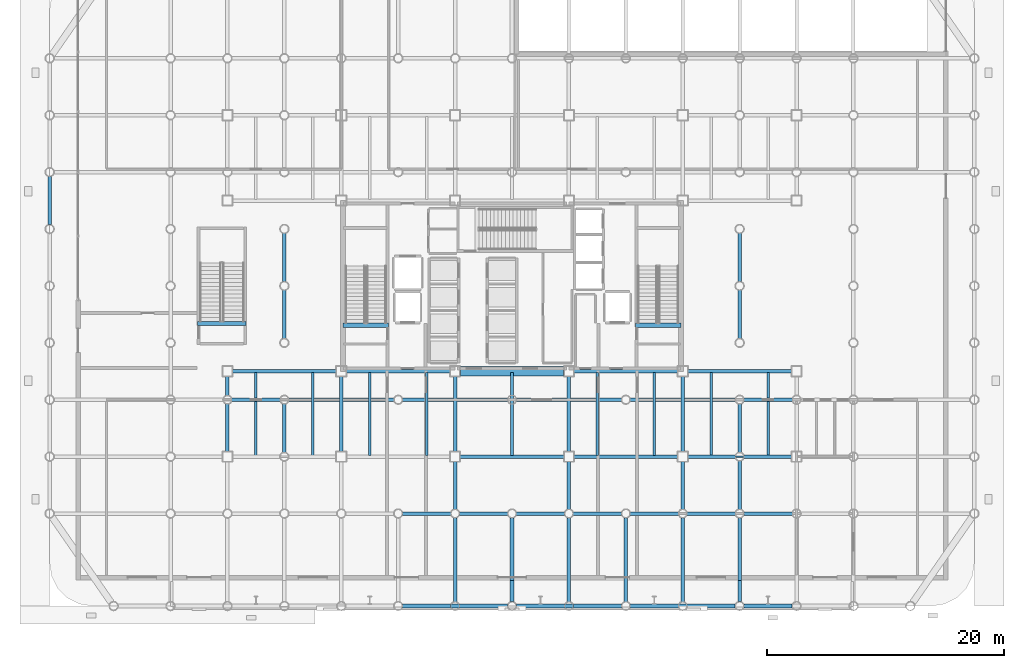
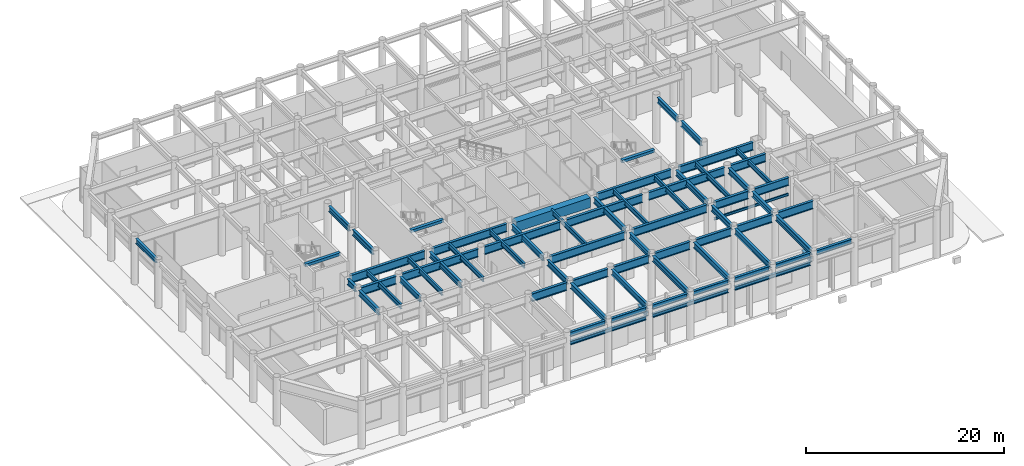
# One storey, part 8 of 23: 70 beams.
"""IFC4 building model written with IfcOpenShell, lengths in metres."""

from ifc_helpers import new_model, si_unit, direction, frame, origin, origin_2d, place, context, subcontext, project, spatial, rectangle, i_section, extrude, material, material_profile, profile_set, type_object, element, save


model = new_model("IFC4")

# Units and contexts
model_context = context("Model", 3, precision=1e-05, world=origin(), true_north=direction((0.0, 1.0)))
body_context = subcontext(model_context, "Body", "Model", "MODEL_VIEW")
ifc_project = project(units=[si_unit("LENGTHUNIT", "METRE"), si_unit("AREAUNIT", "SQUARE_METRE"), si_unit("VOLUMEUNIT", "CUBIC_METRE"), si_unit("PLANEANGLEUNIT", "RADIAN"), si_unit("MASSUNIT", "GRAM", prefix="KILO")], contexts=[model_context])

# Site, building, storey
site_placement = place(None, origin())
site = spatial("IfcSite", under=ifc_project, at=site_placement, CompositionType="ELEMENT")
building_placement = place(site_placement, origin())
building = spatial("IfcBuilding", under=site, at=building_placement, Name="Kallvorn Hotel Tower", CompositionType="ELEMENT")
storey_placement = place(building_placement, origin())
storey = spatial("IfcBuildingStorey", under=building, at=storey_placement, Name="L00", CompositionType="ELEMENT", Elevation=0.0)

# Beams
ifc_material_1 = material(Name="Structural steel S355JR", Category="steel")
ifc_material_profile_1 = material_profile(ifc_material_1, i_section(OverallWidth=0.300048828125, OverallDepth=1.0, WebThickness=0.01904296875, FlangeThickness=0.035888671875, at=origin_2d()), Name="HE 1000 B")
ifc_profile_set_1 = profile_set([ifc_material_profile_1], Name="Structural steel S355JR")
beam_type_1 = type_object("IfcBeamType", Name="BM_HE1000B", PredefinedType="BEAM", material=ifc_profile_set_1)
beam_1_placement = place(storey_placement, frame((-9.243896484375, -19.199951171875, 5.25), z_axis=(1.0, 0.0, 0.0), x_axis=(0.0, 1.0, 0.0)))
element("IfcBeam", 1, at=beam_1_placement, inside=storey, type_object=beam_type_1, Name="L01 Primary X-Girder 06", PredefinedType="BEAM", context=body_context, shape_type="SweptSolid", body=[
    extrude(i_section(OverallWidth=0.300048828125, OverallDepth=1.0, WebThickness=0.01904296875, FlangeThickness=0.035888671875, at=origin_2d()), origin(), (0.0, 0.0, 1.0), 4.087890625),
])
for number, where, z_axis, x_axis, name in (
    (2, (-4.444091796875, -19.199951171875, 5.25), (1.0, 0.0, 0.0), (0.0, 1.0, 0.0), "L01 Primary X-Girder 07"),
    (3, (0.35595703125, -19.199951171875, 5.25), (1.0, 0.0, 0.0), (0.0, 1.0, 0.0), "L01 Primary X-Girder 08"),
):
    element("IfcBeam", number, at=place(storey_placement, frame(where, z_axis=z_axis, x_axis=x_axis)), inside=storey, type_object=beam_type_1, Name=name, PredefinedType="BEAM", context=body_context, shape_type="SweptSolid", body=[
        extrude(i_section(OverallWidth=0.300048828125, OverallDepth=1.0, WebThickness=0.01904296875, FlangeThickness=0.035888671875, at=origin_2d()), origin(), (0.0, 0.0, 1.0), 4.088134765625),
    ])
for number, where, z_axis, x_axis, name in (
    (4, (5.156005859375, -19.199951171875, 5.25), (1.0, 0.0, 0.0), (0.0, 1.0, 0.0), "L01 Primary X-Girder 09"),
    (5, (9.9560546875, -19.199951171875, 5.25), (1.0, 0.0, 0.0), (0.0, 1.0, 0.0), "L01 Primary X-Girder 10"),
    (6, (14.756103515625, -19.199951171875, 5.25), (1.0, 0.0, 0.0), (0.0, 1.0, 0.0), "L01 Primary X-Girder 11"),
):
    element("IfcBeam", number, at=place(storey_placement, frame(where, z_axis=z_axis, x_axis=x_axis)), inside=storey, type_object=beam_type_1, Name=name, PredefinedType="BEAM", context=body_context, shape_type="SweptSolid", body=[
        extrude(i_section(OverallWidth=0.300048828125, OverallDepth=1.0, WebThickness=0.01904296875, FlangeThickness=0.035888671875, at=origin_2d()), origin(), (0.0, 0.0, 1.0), 4.087890625),
    ])
beam_2_placement = place(storey_placement, frame((19.555908203125, -19.199951171875, 5.25), z_axis=(1.0, 0.0, 0.0), x_axis=(0.0, 1.0, 0.0)))
element("IfcBeam", 7, at=beam_2_placement, inside=storey, type_object=beam_type_1, Name="L01 Primary X-Girder 12", PredefinedType="BEAM", context=body_context, shape_type="SweptSolid", body=[
    extrude(i_section(OverallWidth=0.300048828125, OverallDepth=1.0, WebThickness=0.01904296875, FlangeThickness=0.035888671875, at=origin_2d()), origin(), (0.0, 0.0, 1.0), 4.088134765625),
])
for number, where, z_axis, x_axis, name in (
    (8, (-4.375, -14.39990234375, 5.25), (1.0, 0.0, 0.0), (0.0, 1.0, 0.0), "L01 Primary X-Girder 20"),
    (9, (5.22509765625, -14.39990234375, 5.25), (1.0, 0.0, 0.0), (0.0, 1.0, 0.0), "L01 Primary X-Girder 21"),
):
    element("IfcBeam", number, at=place(storey_placement, frame(where, z_axis=z_axis, x_axis=x_axis)), inside=storey, type_object=beam_type_1, Name=name, PredefinedType="BEAM", context=body_context, shape_type="SweptSolid", body=[
        extrude(i_section(OverallWidth=0.300048828125, OverallDepth=1.0, WebThickness=0.01904296875, FlangeThickness=0.035888671875, at=origin_2d()), origin(), (0.0, 0.0, 1.0), 8.75),
    ])
for number, where, z_axis, x_axis, name in (
    (10, (14.824951171875, -14.39990234375, 5.25), (1.0, 0.0, 0.0), (0.0, 1.0, 0.0), "L01 Primary X-Girder 22"),
    (11, (19.555908203125, -14.39990234375, 5.25), (1.0, 0.0, 0.0), (0.0, 1.0, 0.0), "L01 Primary X-Girder 23"),
):
    element("IfcBeam", number, at=place(storey_placement, frame(where, z_axis=z_axis, x_axis=x_axis)), inside=storey, type_object=beam_type_1, Name=name, PredefinedType="BEAM", context=body_context, shape_type="SweptSolid", body=[
        extrude(i_section(OverallWidth=0.300048828125, OverallDepth=1.0, WebThickness=0.01904296875, FlangeThickness=0.035888671875, at=origin_2d()), origin(), (0.0, 0.0, 1.0), 4.01904296875),
    ])
beam_3_placement = place(storey_placement, frame((-23.64404296875, -9.60009765625, 5.25), z_axis=(1.0, 0.0, 0.0), x_axis=(0.0, 1.0, 0.0)))
element("IfcBeam", 12, at=beam_3_placement, inside=storey, type_object=beam_type_1, Name="L01 Primary X-Girder 28", PredefinedType="BEAM", context=body_context, shape_type="SweptSolid", body=[
    extrude(i_section(OverallWidth=0.300048828125, OverallDepth=1.0, WebThickness=0.01904296875, FlangeThickness=0.035888671875, at=origin_2d()), origin(), (0.0, 0.0, 1.0), 4.088134765625),
])
for number, where, z_axis, x_axis, name in (
    (13, (-18.843994140625, -9.60009765625, 5.25), (1.0, 0.0, 0.0), (0.0, 1.0, 0.0), "L01 Primary X-Girder 29"),
    (14, (-9.243896484375, -9.60009765625, 5.25), (1.0, 0.0, 0.0), (0.0, 1.0, 0.0), "L01 Primary X-Girder 30"),
    (15, (0.35595703125, -9.60009765625, 5.25), (1.0, 0.0, 0.0), (0.0, 1.0, 0.0), "L01 Primary X-Girder 31"),
    (16, (9.9560546875, -9.60009765625, 5.25), (1.0, 0.0, 0.0), (0.0, 1.0, 0.0), "L01 Primary X-Girder 32"),
):
    element("IfcBeam", number, at=place(storey_placement, frame(where, z_axis=z_axis, x_axis=x_axis)), inside=storey, type_object=beam_type_1, Name=name, PredefinedType="BEAM", context=body_context, shape_type="SweptSolid", body=[
        extrude(i_section(OverallWidth=0.300048828125, OverallDepth=1.0, WebThickness=0.01904296875, FlangeThickness=0.035888671875, at=origin_2d()), origin(), (0.0, 0.0, 1.0), 8.887939453125),
    ])
beam_4_placement = place(storey_placement, frame((19.555908203125, -9.60009765625, 5.25), z_axis=(1.0, 0.0, 0.0), x_axis=(0.0, 1.0, 0.0)))
element("IfcBeam", 17, at=beam_4_placement, inside=storey, type_object=beam_type_1, Name="L01 Primary X-Girder 33", PredefinedType="BEAM", context=body_context, shape_type="SweptSolid", body=[
    extrude(i_section(OverallWidth=0.300048828125, OverallDepth=1.0, WebThickness=0.01904296875, FlangeThickness=0.035888671875, at=origin_2d()), origin(), (0.0, 0.0, 1.0), 4.088134765625),
])
for number, where, z_axis, x_axis, name in (
    (18, (-23.574951171875, -7.199951171875, 5.25), (1.0, 0.0, 0.0), (0.0, 1.0, 0.0), "L01 Primary X-Girder 36"),
    (19, (-13.97509765625, -7.199951171875, 5.25), (1.0, 0.0, 0.0), (0.0, 1.0, 0.0), "L01 Primary X-Girder 37"),
    (20, (5.22509765625, -7.199951171875, 5.25), (1.0, 0.0, 0.0), (0.0, 1.0, 0.0), "L01 Primary X-Girder 38"),
    (21, (14.824951171875, -7.199951171875, 5.25), (1.0, 0.0, 0.0), (0.0, 1.0, 0.0), "L01 Primary X-Girder 39"),
):
    element("IfcBeam", number, at=place(storey_placement, frame(where, z_axis=z_axis, x_axis=x_axis)), inside=storey, type_object=beam_type_1, Name=name, PredefinedType="BEAM", context=body_context, shape_type="SweptSolid", body=[
        extrude(i_section(OverallWidth=0.300048828125, OverallDepth=1.0, WebThickness=0.01904296875, FlangeThickness=0.035888671875, at=origin_2d()), origin(), (0.0, 0.0, 1.0), 8.75),
    ])
ifc_material_2 = material(Name="Structural steel S355JR", Category="steel")
ifc_material_profile_2 = material_profile(ifc_material_2, i_section(OverallWidth=0.300048828125, OverallDepth=0.43994140625, WebThickness=0.011474609375, FlangeThickness=0.02099609375, at=origin_2d()), Name="HE 450 A")
ifc_profile_set_2 = profile_set([ifc_material_profile_2], Name="Structural steel S355JR")
beam_type_2 = type_object("IfcBeamType", Name="BM_HE450A", PredefinedType="BEAM", material=ifc_profile_set_2)
for number, where, z_axis, x_axis, name in (
    (22, (-9.239990234375, -27.0, 4.3798828125), (1.0, 0.0, 0.0), (0.0, 1.0, 0.0), "L00 Entrance Canopy Girder 3"),
    (23, (0.360107421875, -27.0, 4.3798828125), (1.0, 0.0, 0.0), (0.0, 1.0, 0.0), "L00 Entrance Canopy Girder 4"),
):
    element("IfcBeam", number, at=place(storey_placement, frame(where, z_axis=z_axis, x_axis=x_axis)), inside=storey, type_object=beam_type_2, Name=name, PredefinedType="BEAM", context=body_context, shape_type="SweptSolid", body=[
        extrude(i_section(OverallWidth=0.300048828125, OverallDepth=0.43994140625, WebThickness=0.011474609375, FlangeThickness=0.02099609375, at=origin_2d()), origin(), (0.0, 0.0, 1.0), 8.8798828125),
    ])
beam_5_placement = place(storey_placement, frame((9.9599609375, -27.0, 4.3798828125), z_axis=(1.0, 0.0, 0.0), x_axis=(0.0, 1.0, 0.0)))
element("IfcBeam", 24, at=beam_5_placement, inside=storey, type_object=beam_type_2, Name="L00 Entrance Canopy Girder 5", PredefinedType="BEAM", context=body_context, shape_type="SweptSolid", body=[
    extrude(i_section(OverallWidth=0.300048828125, OverallDepth=0.43994140625, WebThickness=0.011474609375, FlangeThickness=0.02099609375, at=origin_2d()), origin(), (0.0, 0.0, 1.0), 8.880126953125),
])
for number, where, z_axis, x_axis, name in (
    (25, (0.0, -26.6298828125, 4.3798828125), (0.0, 1.0, 0.0), (-1.0, 0.0, 0.0), "L00 Entrance Canopy Outrigger Bracket 2"),
    (26, (19.199951171875, -26.6298828125, 4.3798828125), (0.0, 1.0, 0.0), (-1.0, 0.0, 0.0), "L00 Entrance Canopy Outrigger Bracket 3"),
):
    element("IfcBeam", number, at=place(storey_placement, frame(where, z_axis=z_axis, x_axis=x_axis)), inside=storey, type_object=beam_type_2, Name=name, PredefinedType="BEAM", context=body_context, shape_type="SweptSolid", body=[
        extrude(i_section(OverallWidth=0.300048828125, OverallDepth=0.43994140625, WebThickness=0.011474609375, FlangeThickness=0.02099609375, at=origin_2d()), origin(), (0.0, 0.0, 1.0), 1.77978515625),
    ])
ifc_material_3 = material(Name="Structural steel S355JR", Category="steel")
ifc_material_profile_3 = material_profile(ifc_material_3, i_section(OverallWidth=0.300048828125, OverallDepth=0.60009765625, WebThickness=0.015380859375, FlangeThickness=0.030029296875, at=origin_2d()), Name="HE 600 B")
ifc_profile_set_3 = profile_set([ifc_material_profile_3], Name="Structural steel S355JR")
beam_type_3 = type_object("IfcBeamType", Name="BM_HE600B", PredefinedType="SPANDREL", material=ifc_profile_set_3)
beam_6_placement = place(storey_placement, frame((-9.22900390625, -27.0, 5.449951171875), z_axis=(1.0, 0.0, 0.0), x_axis=(0.0, 1.0, 0.0)))
element("IfcBeam", 27, at=beam_6_placement, inside=storey, type_object=beam_type_3, Name="L01 Perimeter Spandrel 177", PredefinedType="SPANDREL", context=body_context, shape_type="SweptSolid", body=[
    extrude(i_section(OverallWidth=0.300048828125, OverallDepth=0.60009765625, WebThickness=0.015380859375, FlangeThickness=0.030029296875, at=origin_2d()), origin(), (0.0, 0.0, 1.0), 4.05810546875),
])
for number, where, z_axis, x_axis, name in (
    (28, (-4.428955078125, -27.0, 5.449951171875), (1.0, 0.0, 0.0), (0.0, 1.0, 0.0), "L01 Perimeter Spandrel 178"),
    (29, (0.37109375, -27.0, 5.449951171875), (1.0, 0.0, 0.0), (0.0, 1.0, 0.0), "L01 Perimeter Spandrel 179"),
):
    element("IfcBeam", number, at=place(storey_placement, frame(where, z_axis=z_axis, x_axis=x_axis)), inside=storey, type_object=beam_type_3, Name=name, PredefinedType="SPANDREL", context=body_context, shape_type="SweptSolid", body=[
        extrude(i_section(OverallWidth=0.300048828125, OverallDepth=0.60009765625, WebThickness=0.015380859375, FlangeThickness=0.030029296875, at=origin_2d()), origin(), (0.0, 0.0, 1.0), 4.057861328125),
    ])
for number, where, z_axis, x_axis, name in (
    (30, (5.1708984375, -27.0, 5.449951171875), (1.0, 0.0, 0.0), (0.0, 1.0, 0.0), "L01 Perimeter Spandrel 180"),
    (31, (9.970947265625, -27.0, 5.449951171875), (1.0, 0.0, 0.0), (0.0, 1.0, 0.0), "L01 Perimeter Spandrel 181"),
    (32, (14.77099609375, -27.0, 5.449951171875), (1.0, 0.0, 0.0), (0.0, 1.0, 0.0), "L01 Perimeter Spandrel 182"),
):
    element("IfcBeam", number, at=place(storey_placement, frame(where, z_axis=z_axis, x_axis=x_axis)), inside=storey, type_object=beam_type_3, Name=name, PredefinedType="SPANDREL", context=body_context, shape_type="SweptSolid", body=[
        extrude(i_section(OverallWidth=0.300048828125, OverallDepth=0.60009765625, WebThickness=0.015380859375, FlangeThickness=0.030029296875, at=origin_2d()), origin(), (0.0, 0.0, 1.0), 4.05810546875),
    ])
beam_7_placement = place(storey_placement, frame((19.571044921875, -27.0, 5.449951171875), z_axis=(1.0, 0.0, 0.0), x_axis=(0.0, 1.0, 0.0)))
element("IfcBeam", 33, at=beam_7_placement, inside=storey, type_object=beam_type_3, Name="L01 Perimeter Spandrel 183", PredefinedType="SPANDREL", context=body_context, shape_type="SweptSolid", body=[
    extrude(i_section(OverallWidth=0.300048828125, OverallDepth=0.60009765625, WebThickness=0.015380859375, FlangeThickness=0.030029296875, at=origin_2d()), origin(), (0.0, 0.0, 1.0), 4.057861328125),
])
beam_8_placement = place(storey_placement, frame((-39.0, 5.1708984375, 5.449951171875), z_axis=(0.0, 1.0, 0.0), x_axis=(-1.0, 0.0, 0.0)))
element("IfcBeam", 34, at=beam_8_placement, inside=storey, type_object=beam_type_3, Name="L01 Perimeter Spandrel 205", PredefinedType="SPANDREL", context=body_context, shape_type="SweptSolid", body=[
    extrude(i_section(OverallWidth=0.300048828125, OverallDepth=0.60009765625, WebThickness=0.015380859375, FlangeThickness=0.030029296875, at=origin_2d()), origin(), (0.0, 0.0, 1.0), 4.05810546875),
])
ifc_material_4 = material(Name="Structural steel S355JR", Category="steel")
ifc_material_profile_4 = material_profile(ifc_material_4, i_section(OverallWidth=0.300048828125, OverallDepth=0.699951171875, WebThickness=0.01708984375, FlangeThickness=0.031982421875, at=origin_2d()), Name="HE 700 B")
ifc_profile_set_4 = profile_set([ifc_material_profile_4], Name="Structural steel S355JR")
beam_type_4 = type_object("IfcBeamType", Name="BM_HE700B", PredefinedType="BEAM", material=ifc_profile_set_4)
beam_9_placement = place(storey_placement, frame((-24.0, -13.97509765625, 5.39990234375), z_axis=(0.0, 1.0, 0.0), x_axis=(-1.0, 0.0, 0.0)))
element("IfcBeam", 35, at=beam_9_placement, inside=storey, type_object=beam_type_4, Name="L01 Primary Y-Girder 92", PredefinedType="BEAM", context=body_context, shape_type="SweptSolid", body=[
    extrude(i_section(OverallWidth=0.300048828125, OverallDepth=0.699951171875, WebThickness=0.01708984375, FlangeThickness=0.031982421875, at=origin_2d()), origin(), (0.0, 0.0, 1.0), 4.01904296875),
])
beam_10_placement = place(storey_placement, frame((-24.0, -9.243896484375, 5.39990234375), z_axis=(0.0, 1.0, 0.0), x_axis=(-1.0, 0.0, 0.0)))
element("IfcBeam", 36, at=beam_10_placement, inside=storey, type_object=beam_type_4, Name="L01 Primary Y-Girder 93", PredefinedType="BEAM", context=body_context, shape_type="SweptSolid", body=[
    extrude(i_section(OverallWidth=0.300048828125, OverallDepth=0.699951171875, WebThickness=0.01708984375, FlangeThickness=0.031982421875, at=origin_2d()), origin(), (0.0, 0.0, 1.0), 1.618896484375),
])
beam_11_placement = place(storey_placement, frame((-19.199951171875, -14.0439453125, 5.39990234375), z_axis=(0.0, 1.0, 0.0), x_axis=(-1.0, 0.0, 0.0)))
element("IfcBeam", 37, at=beam_11_placement, inside=storey, type_object=beam_type_4, Name="L01 Primary Y-Girder 100", PredefinedType="BEAM", context=body_context, shape_type="SweptSolid", body=[
    extrude(i_section(OverallWidth=0.300048828125, OverallDepth=0.699951171875, WebThickness=0.01708984375, FlangeThickness=0.031982421875, at=origin_2d()), origin(), (0.0, 0.0, 1.0), 4.087890625),
])
for number, where, z_axis, x_axis, name in (
    (38, (-19.199951171875, -4.444091796875, 5.39990234375), (0.0, 1.0, 0.0), (-1.0, 0.0, 0.0), "L01 Primary Y-Girder 102"),
    (39, (-19.199951171875, 0.35595703125, 5.39990234375), (0.0, 1.0, 0.0), (-1.0, 0.0, 0.0), "L01 Primary Y-Girder 103"),
):
    element("IfcBeam", number, at=place(storey_placement, frame(where, z_axis=z_axis, x_axis=x_axis)), inside=storey, type_object=beam_type_4, Name=name, PredefinedType="BEAM", context=body_context, shape_type="SweptSolid", body=[
        extrude(i_section(OverallWidth=0.300048828125, OverallDepth=0.699951171875, WebThickness=0.01708984375, FlangeThickness=0.031982421875, at=origin_2d()), origin(), (0.0, 0.0, 1.0), 4.088134765625),
    ])
beam_12_placement = place(storey_placement, frame((-14.39990234375, -13.97509765625, 5.39990234375), z_axis=(0.0, 1.0, 0.0), x_axis=(-1.0, 0.0, 0.0)))
element("IfcBeam", 40, at=beam_12_placement, inside=storey, type_object=beam_type_4, Name="L01 Primary Y-Girder 110", PredefinedType="BEAM", context=body_context, shape_type="SweptSolid", body=[
    extrude(i_section(OverallWidth=0.300048828125, OverallDepth=0.699951171875, WebThickness=0.01708984375, FlangeThickness=0.031982421875, at=origin_2d()), origin(), (0.0, 0.0, 1.0), 6.35009765625),
])
beam_13_placement = place(storey_placement, frame((-4.800048828125, -26.64404296875, 5.39990234375), z_axis=(0.0, 1.0, 0.0), x_axis=(-1.0, 0.0, 0.0)))
element("IfcBeam", 41, at=beam_13_placement, inside=storey, type_object=beam_type_4, Name="L01 Primary Y-Girder 118", PredefinedType="BEAM", context=body_context, shape_type="SweptSolid", body=[
    extrude(i_section(OverallWidth=0.300048828125, OverallDepth=0.699951171875, WebThickness=0.01708984375, FlangeThickness=0.031982421875, at=origin_2d()), origin(), (0.0, 0.0, 1.0), 7.088134765625),
])
beam_14_placement = place(storey_placement, frame((-4.800048828125, -18.843994140625, 5.39990234375), z_axis=(0.0, 1.0, 0.0), x_axis=(-1.0, 0.0, 0.0)))
element("IfcBeam", 42, at=beam_14_placement, inside=storey, type_object=beam_type_4, Name="L01 Primary Y-Girder 119", PredefinedType="BEAM", context=body_context, shape_type="SweptSolid", body=[
    extrude(i_section(OverallWidth=0.300048828125, OverallDepth=0.699951171875, WebThickness=0.01708984375, FlangeThickness=0.031982421875, at=origin_2d()), origin(), (0.0, 0.0, 1.0), 4.01904296875),
])
beam_15_placement = place(storey_placement, frame((-4.800048828125, -13.97509765625, 5.39990234375), z_axis=(0.0, 1.0, 0.0), x_axis=(-1.0, 0.0, 0.0)))
element("IfcBeam", 43, at=beam_15_placement, inside=storey, type_object=beam_type_4, Name="L01 Primary Y-Girder 120", PredefinedType="BEAM", context=body_context, shape_type="SweptSolid", body=[
    extrude(i_section(OverallWidth=0.300048828125, OverallDepth=0.699951171875, WebThickness=0.01708984375, FlangeThickness=0.031982421875, at=origin_2d()), origin(), (0.0, 0.0, 1.0), 6.35009765625),
])
for number, where, z_axis, x_axis, name in (
    (44, (0.0, -26.64404296875, 5.39990234375), (0.0, 1.0, 0.0), (-1.0, 0.0, 0.0), "L01 Primary Y-Girder 124"),
    (45, (4.800048828125, -26.64404296875, 5.39990234375), (0.0, 1.0, 0.0), (-1.0, 0.0, 0.0), "L01 Primary Y-Girder 128"),
):
    element("IfcBeam", number, at=place(storey_placement, frame(where, z_axis=z_axis, x_axis=x_axis)), inside=storey, type_object=beam_type_4, Name=name, PredefinedType="BEAM", context=body_context, shape_type="SweptSolid", body=[
        extrude(i_section(OverallWidth=0.300048828125, OverallDepth=0.699951171875, WebThickness=0.01708984375, FlangeThickness=0.031982421875, at=origin_2d()), origin(), (0.0, 0.0, 1.0), 7.088134765625),
    ])
beam_16_placement = place(storey_placement, frame((4.800048828125, -18.843994140625, 5.39990234375), z_axis=(0.0, 1.0, 0.0), x_axis=(-1.0, 0.0, 0.0)))
element("IfcBeam", 46, at=beam_16_placement, inside=storey, type_object=beam_type_4, Name="L01 Primary Y-Girder 129", PredefinedType="BEAM", context=body_context, shape_type="SweptSolid", body=[
    extrude(i_section(OverallWidth=0.300048828125, OverallDepth=0.699951171875, WebThickness=0.01708984375, FlangeThickness=0.031982421875, at=origin_2d()), origin(), (0.0, 0.0, 1.0), 4.01904296875),
])
beam_17_placement = place(storey_placement, frame((4.800048828125, -13.97509765625, 5.39990234375), z_axis=(0.0, 1.0, 0.0), x_axis=(-1.0, 0.0, 0.0)))
element("IfcBeam", 47, at=beam_17_placement, inside=storey, type_object=beam_type_4, Name="L01 Primary Y-Girder 130", PredefinedType="BEAM", context=body_context, shape_type="SweptSolid", body=[
    extrude(i_section(OverallWidth=0.300048828125, OverallDepth=0.699951171875, WebThickness=0.01708984375, FlangeThickness=0.031982421875, at=origin_2d()), origin(), (0.0, 0.0, 1.0), 6.35009765625),
])
for number, where, z_axis, x_axis, name in (
    (48, (9.60009765625, -26.64404296875, 5.39990234375), (0.0, 1.0, 0.0), (-1.0, 0.0, 0.0), "L01 Primary Y-Girder 134"),
    (49, (14.39990234375, -26.64404296875, 5.39990234375), (0.0, 1.0, 0.0), (-1.0, 0.0, 0.0), "L01 Primary Y-Girder 138"),
):
    element("IfcBeam", number, at=place(storey_placement, frame(where, z_axis=z_axis, x_axis=x_axis)), inside=storey, type_object=beam_type_4, Name=name, PredefinedType="BEAM", context=body_context, shape_type="SweptSolid", body=[
        extrude(i_section(OverallWidth=0.300048828125, OverallDepth=0.699951171875, WebThickness=0.01708984375, FlangeThickness=0.031982421875, at=origin_2d()), origin(), (0.0, 0.0, 1.0), 7.088134765625),
    ])
beam_18_placement = place(storey_placement, frame((14.39990234375, -18.843994140625, 5.39990234375), z_axis=(0.0, 1.0, 0.0), x_axis=(-1.0, 0.0, 0.0)))
element("IfcBeam", 50, at=beam_18_placement, inside=storey, type_object=beam_type_4, Name="L01 Primary Y-Girder 139", PredefinedType="BEAM", context=body_context, shape_type="SweptSolid", body=[
    extrude(i_section(OverallWidth=0.300048828125, OverallDepth=0.699951171875, WebThickness=0.01708984375, FlangeThickness=0.031982421875, at=origin_2d()), origin(), (0.0, 0.0, 1.0), 4.01904296875),
])
beam_19_placement = place(storey_placement, frame((14.39990234375, -13.97509765625, 5.39990234375), z_axis=(0.0, 1.0, 0.0), x_axis=(-1.0, 0.0, 0.0)))
element("IfcBeam", 51, at=beam_19_placement, inside=storey, type_object=beam_type_4, Name="L01 Primary Y-Girder 140", PredefinedType="BEAM", context=body_context, shape_type="SweptSolid", body=[
    extrude(i_section(OverallWidth=0.300048828125, OverallDepth=0.699951171875, WebThickness=0.01708984375, FlangeThickness=0.031982421875, at=origin_2d()), origin(), (0.0, 0.0, 1.0), 6.35009765625),
])
beam_20_placement = place(storey_placement, frame((19.199951171875, -26.64404296875, 5.39990234375), z_axis=(0.0, 1.0, 0.0), x_axis=(-1.0, 0.0, 0.0)))
element("IfcBeam", 52, at=beam_20_placement, inside=storey, type_object=beam_type_4, Name="L01 Primary Y-Girder 144", PredefinedType="BEAM", context=body_context, shape_type="SweptSolid", body=[
    extrude(i_section(OverallWidth=0.300048828125, OverallDepth=0.699951171875, WebThickness=0.01708984375, FlangeThickness=0.031982421875, at=origin_2d()), origin(), (0.0, 0.0, 1.0), 7.088134765625),
])
for number, where, z_axis, x_axis, name in (
    (53, (19.199951171875, -18.843994140625, 5.39990234375), (0.0, 1.0, 0.0), (-1.0, 0.0, 0.0), "L01 Primary Y-Girder 145"),
    (54, (19.199951171875, -14.0439453125, 5.39990234375), (0.0, 1.0, 0.0), (-1.0, 0.0, 0.0), "L01 Primary Y-Girder 146"),
):
    element("IfcBeam", number, at=place(storey_placement, frame(where, z_axis=z_axis, x_axis=x_axis)), inside=storey, type_object=beam_type_4, Name=name, PredefinedType="BEAM", context=body_context, shape_type="SweptSolid", body=[
        extrude(i_section(OverallWidth=0.300048828125, OverallDepth=0.699951171875, WebThickness=0.01708984375, FlangeThickness=0.031982421875, at=origin_2d()), origin(), (0.0, 0.0, 1.0), 4.087890625),
    ])
for number, where, z_axis, x_axis, name in (
    (55, (19.199951171875, -4.444091796875, 5.39990234375), (0.0, 1.0, 0.0), (-1.0, 0.0, 0.0), "L01 Primary Y-Girder 148"),
    (56, (19.199951171875, 0.35595703125, 5.39990234375), (0.0, 1.0, 0.0), (-1.0, 0.0, 0.0), "L01 Primary Y-Girder 149"),
):
    element("IfcBeam", number, at=place(storey_placement, frame(where, z_axis=z_axis, x_axis=x_axis)), inside=storey, type_object=beam_type_4, Name=name, PredefinedType="BEAM", context=body_context, shape_type="SweptSolid", body=[
        extrude(i_section(OverallWidth=0.300048828125, OverallDepth=0.699951171875, WebThickness=0.01708984375, FlangeThickness=0.031982421875, at=origin_2d()), origin(), (0.0, 0.0, 1.0), 4.088134765625),
    ])
ifc_material_5 = material(Name="Structural steel S355JR", Category="steel")
ifc_material_profile_5 = material_profile(ifc_material_5, i_section(OverallWidth=0.14990234375, OverallDepth=0.300048828125, WebThickness=0.007080078125, FlangeThickness=0.0107421875, at=origin_2d()), Name="IPE 300")
ifc_profile_set_5 = profile_set([ifc_material_profile_5], Name="Structural steel S355JR")
beam_type_5 = type_object("IfcBeamType", Name="BM_IPE300", PredefinedType="LINTEL", material=ifc_profile_set_5)
beam_21_placement = place(storey_placement, frame((14.840087890625, -14.39990234375, 3.60009765625), z_axis=(1.0, 0.0, 0.0), x_axis=(0.0, 1.0, 0.0)))
element("IfcBeam", 57, at=beam_21_placement, inside=storey, type_object=beam_type_5, Name="L00 Concourse Portal Lintel Beam 2", PredefinedType="LINTEL", context=body_context, shape_type="SweptSolid", body=[
    extrude(i_section(OverallWidth=0.14990234375, OverallDepth=0.300048828125, WebThickness=0.007080078125, FlangeThickness=0.0107421875, at=origin_2d()), origin(), (0.0, 0.0, 1.0), 8.719970703125),
])
ifc_material_6 = material(Name="Structural steel S355JR", Category="steel")
ifc_material_profile_6 = material_profile(ifc_material_6, i_section(OverallWidth=0.219970703125, OverallDepth=0.60009765625, WebThickness=0.011962890625, FlangeThickness=0.01904296875, at=origin_2d()), Name="IPE 600")
ifc_profile_set_6 = profile_set([ifc_material_profile_6], Name="Structural steel S355JR")
beam_type_6 = type_object("IfcBeamType", Name="BM_IPE600", PredefinedType="JOIST", material=ifc_profile_set_6)
for number, where, z_axis, x_axis, name in (
    (58, (-21.60009765625, -14.300048828125, 5.449951171875), (0.0, 1.0, 0.0), (-1.0, 0.0, 0.0), "L01 Secondary Composite Joist 220"),
    (59, (-16.800048828125, -14.300048828125, 5.449951171875), (0.0, 1.0, 0.0), (-1.0, 0.0, 0.0), "L01 Secondary Composite Joist 222"),
    (60, (-12.0, -14.300048828125, 5.449951171875), (0.0, 1.0, 0.0), (-1.0, 0.0, 0.0), "L01 Secondary Composite Joist 224"),
    (61, (-7.199951171875, -14.300048828125, 5.449951171875), (0.0, 1.0, 0.0), (-1.0, 0.0, 0.0), "L01 Secondary Composite Joist 226"),
    (62, (0.0, -14.300048828125, 5.449951171875), (0.0, 1.0, 0.0), (-1.0, 0.0, 0.0), "L01 Secondary Composite Joist 228"),
    (63, (7.199951171875, -14.300048828125, 5.449951171875), (0.0, 1.0, 0.0), (-1.0, 0.0, 0.0), "L01 Secondary Composite Joist 230"),
    (64, (12.0, -14.300048828125, 5.449951171875), (0.0, 1.0, 0.0), (-1.0, 0.0, 0.0), "L01 Secondary Composite Joist 232"),
    (65, (16.800048828125, -14.300048828125, 5.449951171875), (0.0, 1.0, 0.0), (-1.0, 0.0, 0.0), "L01 Secondary Composite Joist 234"),
    (66, (21.60009765625, -14.300048828125, 5.449951171875), (0.0, 1.0, 0.0), (-1.0, 0.0, 0.0), "L01 Secondary Composite Joist 236"),
):
    element("IfcBeam", number, at=place(storey_placement, frame(where, z_axis=z_axis, x_axis=x_axis)), inside=storey, type_object=beam_type_6, Name=name, PredefinedType="JOIST", context=body_context, shape_type="SweptSolid", body=[
        extrude(i_section(OverallWidth=0.219970703125, OverallDepth=0.60009765625, WebThickness=0.011962890625, FlangeThickness=0.01904296875, at=origin_2d()), origin(), (0.0, 0.0, 1.0), 7.0),
    ])
ifc_material_7 = material(Name="Concrete C50/60", Category="concrete")
ifc_material_profile_7 = material_profile(ifc_material_7, rectangle(XDim=0.360107421875, YDim=0.340087890625, at=origin_2d()), Name="RC 360x340")
ifc_profile_set_7 = profile_set([ifc_material_profile_7], Name="Concrete C50/60")
beam_type_7 = type_object("IfcBeamType", Name="BM_RC_400x360", PredefinedType="BEAM", material=ifc_profile_set_7)
for number, where, z_axis, x_axis, name in (
    (67, (-10.419921875, -3.31005859375, 5.580078125), (-1.0, 0.0, 0.0), (0.0, -1.0, 0.0), "L01 Stair ST1 Arrival Trimmer Beam"),
    (68, (14.239990234375, -3.31005859375, 5.580078125), (-1.0, 0.0, 0.0), (0.0, -1.0, 0.0), "L01 Stair ST2 Arrival Trimmer Beam"),
):
    element("IfcBeam", number, at=place(storey_placement, frame(where, z_axis=z_axis, x_axis=x_axis)), inside=storey, type_object=beam_type_7, Name=name, PredefinedType="BEAM", context=body_context, shape_type="SweptSolid", body=[
        extrude(rectangle(XDim=0.360107421875, YDim=0.340087890625, at=origin_2d()), origin(), (0.0, 0.0, 1.0), 3.820068359375),
    ])
beam_22_placement = place(storey_placement, frame((-22.419921875, -3.169921875, 5.580078125), z_axis=(-1.0, 0.0, 0.0), x_axis=(0.0, -1.0, 0.0)))
element("IfcBeam", 69, at=beam_22_placement, inside=storey, type_object=beam_type_7, Name="L01 Stair ST4 Arrival Trimmer Beam", PredefinedType="BEAM", context=body_context, shape_type="SweptSolid", body=[
    extrude(rectangle(XDim=0.360107421875, YDim=0.340087890625, at=origin_2d()), origin(), (0.0, 0.0, 1.0), 4.10009765625),
])
ifc_material_8 = material(Name="Concrete C50/60", Category="concrete")
ifc_material_profile_8 = material_profile(ifc_material_8, rectangle(XDim=0.800048828125, YDim=1.199951171875, at=origin_2d()), Name="RC 800x1200")
ifc_profile_set_8 = profile_set([ifc_material_profile_8], Name="Concrete C50/60")
beam_type_8 = type_object("IfcBeamType", Name="BM_RC_800x1200", PredefinedType="T_BEAM", material=ifc_profile_set_8)
beam_23_placement = place(storey_placement, frame((-4.35009765625, -7.199951171875, 5.14990234375), z_axis=(1.0, 0.0, 0.0), x_axis=(0.0, 1.0, 0.0)))
element("IfcBeam", 70, at=beam_23_placement, inside=storey, type_object=beam_type_8, Name="L00 Core Coupling Beam South", PredefinedType="T_BEAM", context=body_context, shape_type="SweptSolid", body=[
    extrude(rectangle(XDim=0.800048828125, YDim=1.199951171875, at=origin_2d()), origin(), (0.0, 0.0, 1.0), 8.7001953125),
])

save(model, "model.ifc")
